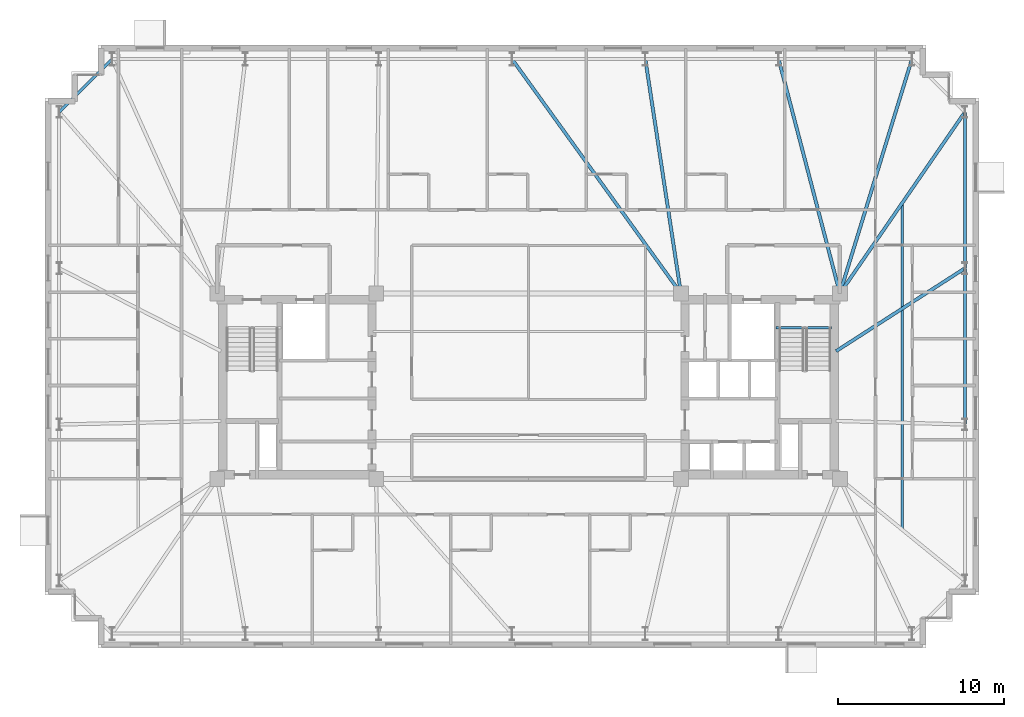
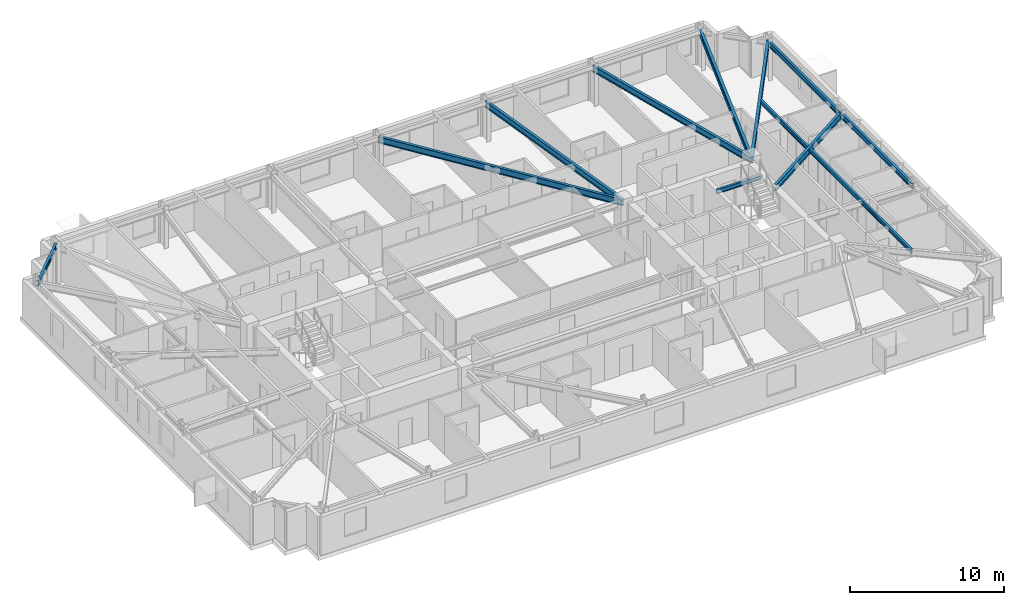
# One storey, part 6 of 19: 11 beams.
"""IFC4 building model written with IfcOpenShell, lengths in metres."""

from ifc_helpers import new_model, si_unit, direction, frame, origin, origin_2d, place, context, subcontext, project, spatial, i_section, extrude, material, material_profile, profile_set, type_object, element, save


model = new_model("IFC4")

# Units and contexts
model_context = context("Model", 3, precision=1e-05, world=origin(), true_north=direction((0.0, 1.0)))
body_context = subcontext(model_context, "Body", "Model", "MODEL_VIEW")
ifc_project = project(units=[si_unit("LENGTHUNIT", "METRE"), si_unit("AREAUNIT", "SQUARE_METRE"), si_unit("VOLUMEUNIT", "CUBIC_METRE"), si_unit("PLANEANGLEUNIT", "RADIAN"), si_unit("MASSUNIT", "GRAM", prefix="KILO")], contexts=[model_context])

# Site, building, storey
site_placement = place(None, origin())
site = spatial("IfcSite", under=ifc_project, at=site_placement, CompositionType="ELEMENT")
building_placement = place(site_placement, origin())
building = spatial("IfcBuilding", under=site, at=building_placement, Name="Qobustan Lattice House", CompositionType="ELEMENT")
storey_placement = place(building_placement, frame((0.0, 0.0, 137.699951171875)))
storey = spatial("IfcBuildingStorey", under=building, at=storey_placement, Name="L38", CompositionType="ELEMENT", Elevation=137.699951171875)

# Beams
ifc_material_1 = material(Name="Steel S355", Category="steel")
ifc_material_profile_1 = material_profile(ifc_material_1, i_section(OverallWidth=0.199951171875, OverallDepth=0.5, WebThickness=0.01025390625, FlangeThickness=0.01611328125, FilletRadius=0.02099609375, at=origin_2d()), Name="IPE500")
ifc_profile_set_1 = profile_set([ifc_material_profile_1], Name="Steel S355")
beam_type_1 = type_object("IfcBeamType", Name="BM-FLG-IPE500", PredefinedType="USERDEFINED", material=ifc_profile_set_1)
beam_1_placement = place(storey_placement, frame((-0.9853515625, 19.729736328125, 2.7900390625), z_axis=(0.584755393146, -0.811209670916, 0.0), x_axis=(0.811209670916, 0.584755393146, 0.0)))
element("IfcBeam", 1, at=beam_1_placement, inside=storey, type_object=beam_type_1, Name="L38 primary floor girder RAD-N4", ObjectType="GIRDER", PredefinedType="USERDEFINED", context=body_context, shape_type="SweptSolid", body=[
    extrude(i_section(OverallWidth=0.199951171875, OverallDepth=0.5, WebThickness=0.01025390625, FlangeThickness=0.01611328125, FilletRadius=0.02099609375, at=origin_2d()), origin(), (0.0, 0.0, 1.0), 17.39306640625),
])
beam_2_placement = place(storey_placement, frame((7.0537109375, 19.725341796875, 2.7900390625), z_axis=(0.150225226731, -0.988651799803, 0.0), x_axis=(0.988651799803, 0.150225226731, 0.0)))
element("IfcBeam", 2, at=beam_2_placement, inside=storey, type_object=beam_type_1, Name="L38 primary floor girder RAD-N3", ObjectType="GIRDER", PredefinedType="USERDEFINED", context=body_context, shape_type="SweptSolid", body=[
    extrude(i_section(OverallWidth=0.199951171875, OverallDepth=0.5, WebThickness=0.01025390625, FlangeThickness=0.01611328125, FilletRadius=0.02099609375, at=origin_2d()), origin(), (0.0, 0.0, 1.0), 14.262451171875),
])
beam_3_placement = place(storey_placement, frame((15.106201171875, 19.725830078125, 2.7900390625), z_axis=(0.252989153576, -0.967469114842, 0.0), x_axis=(0.967469114842, 0.252989153576, 0.0)))
element("IfcBeam", 3, at=beam_3_placement, inside=storey, type_object=beam_type_1, Name="L38 primary floor girder RAD-N2", ObjectType="GIRDER", PredefinedType="USERDEFINED", context=body_context, shape_type="SweptSolid", body=[
    extrude(i_section(OverallWidth=0.199951171875, OverallDepth=0.5, WebThickness=0.01025390625, FlangeThickness=0.01611328125, FilletRadius=0.02099609375, at=origin_2d()), origin(), (0.0, 0.0, 1.0), 14.57568359375),
])
beam_4_placement = place(storey_placement, frame((23.142578125, 19.72607421875, 2.7900390625), z_axis=(-0.293840483469, -0.955854471285, 0.0), x_axis=(0.955854471285, -0.293840483469, 0.0)))
element("IfcBeam", 4, at=beam_4_placement, inside=storey, type_object=beam_type_1, Name="L38 primary floor girder RAD-N1E", ObjectType="GIRDER", PredefinedType="USERDEFINED", context=body_context, shape_type="SweptSolid", body=[
    extrude(i_section(OverallWidth=0.199951171875, OverallDepth=0.5, WebThickness=0.01025390625, FlangeThickness=0.01611328125, FilletRadius=0.02099609375, at=origin_2d()), origin(), (0.0, 0.0, 1.0), 14.753662109375),
])
beam_5_placement = place(storey_placement, frame((26.335693359375, 16.529296875, 2.7900390625), z_axis=(-0.567643395011, -0.82327454479, 0.0), x_axis=(0.82327454479, -0.567643395011, 0.0)))
element("IfcBeam", 5, at=beam_5_placement, inside=storey, type_object=beam_type_1, Name="L38 primary floor girder RAD-E4", ObjectType="GIRDER", PredefinedType="USERDEFINED", context=body_context, shape_type="SweptSolid", body=[
    extrude(i_section(OverallWidth=0.199951171875, OverallDepth=0.5, WebThickness=0.01025390625, FlangeThickness=0.01611328125, FilletRadius=0.02099609375, at=origin_2d()), origin(), (0.0, 0.0, 1.0), 13.25048828125),
])
beam_6_placement = place(storey_placement, frame((26.3291015625, 7.103271484375, 2.7900390625), z_axis=(-0.841058920931, -0.540943519715, 0.0), x_axis=(0.540943519715, -0.841058920931, 0.0)))
element("IfcBeam", 6, at=beam_6_placement, inside=storey, type_object=beam_type_1, Name="L38 primary floor girder RAD-E3", ObjectType="GIRDER", PredefinedType="USERDEFINED", context=body_context, shape_type="SweptSolid", body=[
    extrude(i_section(OverallWidth=0.199951171875, OverallDepth=0.5, WebThickness=0.01025390625, FlangeThickness=0.01611328125, FilletRadius=0.02099609375, at=origin_2d()), origin(), (0.0, 0.0, 1.0), 9.22412109375),
])
ifc_material_2 = material(Name="Steel S355", Category="steel")
ifc_material_profile_2 = material_profile(ifc_material_2, i_section(OverallWidth=0.159912109375, OverallDepth=0.330078125, WebThickness=0.007568359375, FlangeThickness=0.011474609375, FilletRadius=0.01806640625, at=origin_2d()), Name="IPE330")
ifc_profile_set_2 = profile_set([ifc_material_profile_2], Name="Steel S355")
beam_type_2 = type_object("IfcBeamType", Name="BM-SEC-IPE330", PredefinedType="BEAM", material=ifc_profile_set_2)
beam_7_placement = place(storey_placement, frame((22.574951171875, 11.074951171875, 2.875), z_axis=(0.0, -1.0, 0.0), x_axis=(1.0, 0.0, 0.0)))
element("IfcBeam", 7, at=beam_7_placement, inside=storey, type_object=beam_type_2, Name="L38 east wing secondary beam", PredefinedType="BEAM", context=body_context, shape_type="SweptSolid", body=[
    extrude(i_section(OverallWidth=0.159912109375, OverallDepth=0.330078125, WebThickness=0.007568359375, FlangeThickness=0.011474609375, FilletRadius=0.01806640625, at=origin_2d()), origin(), (0.0, 0.0, 1.0), 19.75),
])
ifc_material_3 = material(Name="Steel S355", Category="steel")
ifc_material_profile_3 = material_profile(ifc_material_3, i_section(OverallWidth=0.159912109375, OverallDepth=0.330078125, WebThickness=0.007568359375, FlangeThickness=0.011474609375, FilletRadius=0.01806640625, at=origin_2d()), Name="IPE330")
ifc_profile_set_3 = profile_set([ifc_material_profile_3], Name="Steel S355")
beam_type_3 = type_object("IfcBeamType", Name="BM-SPD-IPE330", PredefinedType="SPANDREL", material=ifc_profile_set_3)
beam_8_placement = place(storey_placement, frame((14.949951171875, 3.52001953125, 2.875), z_axis=(1.0, 0.0, 0.0), x_axis=(0.0, 1.0, 0.0)))
element("IfcBeam", 8, at=beam_8_placement, inside=storey, type_object=beam_type_3, Name="L38 east stair landing trimmer beam", PredefinedType="SPANDREL", context=body_context, shape_type="SweptSolid", body=[
    extrude(i_section(OverallWidth=0.159912109375, OverallDepth=0.330078125, WebThickness=0.007568359375, FlangeThickness=0.011474609375, FilletRadius=0.01806640625, at=origin_2d()), origin(), (0.0, 0.0, 1.0), 3.35009765625),
])
ifc_material_4 = material(Name="Steel S355", Category="steel")
ifc_material_profile_4 = material_profile(ifc_material_4, i_section(OverallWidth=0.179931640625, OverallDepth=0.39990234375, WebThickness=0.008544921875, FlangeThickness=0.013427734375, FilletRadius=0.02099609375, at=origin_2d()), Name="IPE400")
ifc_profile_set_4 = profile_set([ifc_material_profile_4], Name="Steel S355")
beam_type_4 = type_object("IfcBeamType", Name="BM-SPD-IPE400", PredefinedType="SPANDREL", material=ifc_profile_set_4)
beam_9_placement = place(storey_placement, frame((26.35009765625, -2.291748046875, 2.840087890625), z_axis=(0.0, 1.0, 0.0), x_axis=(-1.0, 0.0, 0.0)))
element("IfcBeam", 9, at=beam_9_placement, inside=storey, type_object=beam_type_4, Name="L38 perimeter spandrel E2-E3", PredefinedType="SPANDREL", context=body_context, shape_type="SweptSolid", body=[
    extrude(i_section(OverallWidth=0.179931640625, OverallDepth=0.39990234375, WebThickness=0.008544921875, FlangeThickness=0.013427734375, FilletRadius=0.02099609375, at=origin_2d()), origin(), (0.0, 0.0, 1.0), 9.383544921875),
])
beam_10_placement = place(storey_placement, frame((26.35009765625, 7.1416015625, 2.840087890625), z_axis=(0.0, 1.0, 0.0), x_axis=(-1.0, 0.0, 0.0)))
element("IfcBeam", 10, at=beam_10_placement, inside=storey, type_object=beam_type_4, Name="L38 perimeter spandrel E3-E4", PredefinedType="SPANDREL", context=body_context, shape_type="SweptSolid", body=[
    extrude(i_section(OverallWidth=0.179931640625, OverallDepth=0.39990234375, WebThickness=0.008544921875, FlangeThickness=0.013427734375, FilletRadius=0.02099609375, at=origin_2d()), origin(), (0.0, 0.0, 1.0), 9.38330078125),
])
beam_11_placement = place(storey_placement, frame((-25.167724609375, 19.732421875, 2.840087890625), z_axis=(-0.707079505568, -0.707134055753, 0.0), x_axis=(0.707134055753, -0.707079505568, 0.0)))
element("IfcBeam", 11, at=beam_11_placement, inside=storey, type_object=beam_type_4, Name="L38 perimeter spandrel N7-W1", PredefinedType="SPANDREL", context=body_context, shape_type="SweptSolid", body=[
    extrude(i_section(OverallWidth=0.179931640625, OverallDepth=0.39990234375, WebThickness=0.008544921875, FlangeThickness=0.013427734375, FilletRadius=0.02099609375, at=origin_2d()), origin(), (0.0, 0.0, 1.0), 4.4755859375),
])

save(model, "model.ifc")
